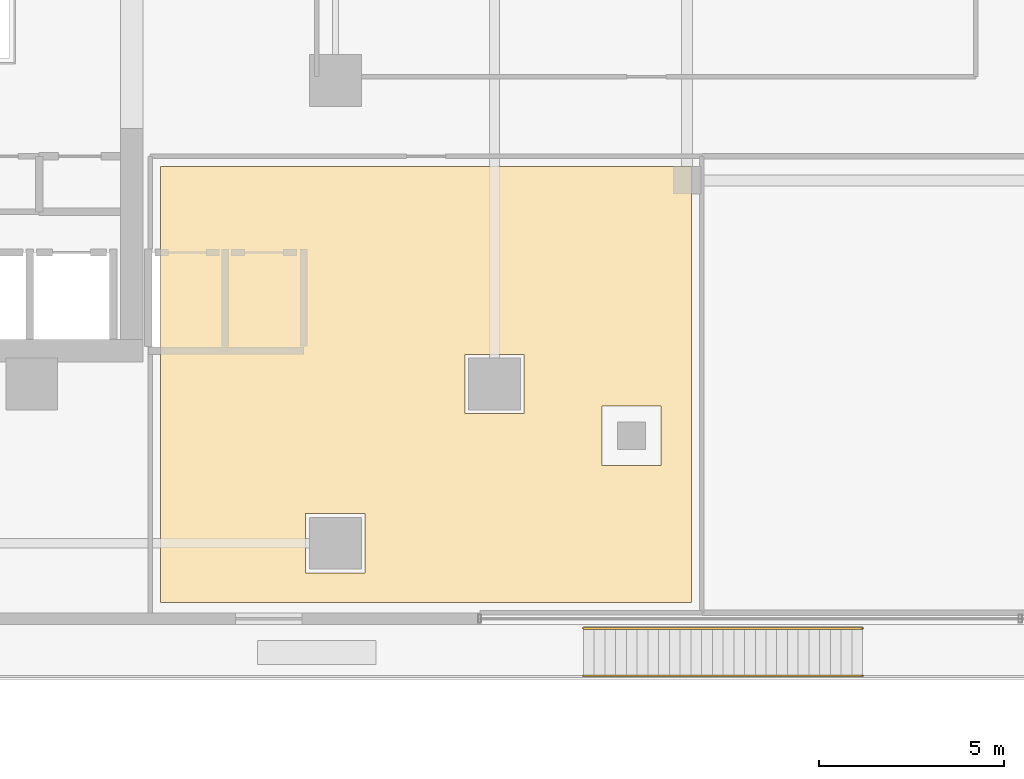
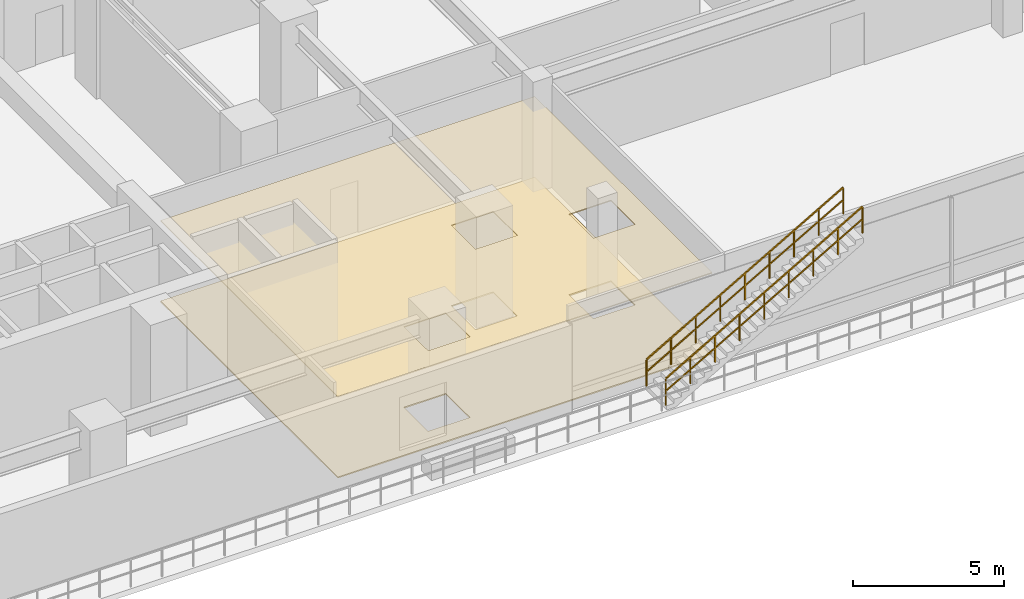
# One storey, part 22 of 25: 2 coverings, 2 railings.
"""IFC4 building model written with IfcOpenShell, lengths in metres."""

from ifc_helpers import new_model, si_unit, direction, frame, origin, origin_2d, place, context, subcontext, project, spatial, polyline, rectangle, outline, extrude, material, layer, layer_set, type_object, element, save


model = new_model("IFC4")

# Units and contexts
model_context = context("Model", 3, precision=1e-05, world=origin(), true_north=direction((0.0, 1.0)))
body_context = subcontext(model_context, "Body", "Model", "MODEL_VIEW")
ifc_project = project(units=[si_unit("LENGTHUNIT", "METRE"), si_unit("AREAUNIT", "SQUARE_METRE"), si_unit("VOLUMEUNIT", "CUBIC_METRE"), si_unit("PLANEANGLEUNIT", "RADIAN"), si_unit("MASSUNIT", "GRAM", prefix="KILO")], contexts=[model_context])

# Site, building, storey
site_placement = place(None, origin())
site = spatial("IfcSite", under=ifc_project, at=site_placement, CompositionType="ELEMENT")
building_placement = place(site_placement, origin())
building = spatial("IfcBuilding", under=site, at=building_placement, Name="Thornwick Lancets Civic Towers", CompositionType="ELEMENT")
storey_placement = place(building_placement, frame((0.0, 0.0, 9.60009765625)))
storey = spatial("IfcBuildingStorey", under=building, at=storey_placement, Name="L02", CompositionType="ELEMENT", Elevation=9.60009765625)

# Coverings
ifc_material_1 = material(Name="Perforated mineral acoustic ceiling tile")
ifc_layer_1 = layer(ifc_material_1, 0.0400390625, Name="Perforated mineral acoustic ceiling tile")
ifc_layer_set_1 = layer_set([ifc_layer_1], Name="Perforated mineral acoustic ceiling tile")
covering_type_1 = type_object("IfcCoveringType", Name="COV_CEIL_ACOUSTIC", PredefinedType="CEILING", material=ifc_layer_set_1)
covering_1_placement = place(storey_placement, frame((0.0, 0.0, 3.27392578125)))
element("IfcCovering", 1, at=covering_1_placement, inside=storey, type_object=covering_type_1, Name="L02 Terrace Reception Foyer Ceiling", PredefinedType="CEILING", context=body_context, shape_type="SweptSolid", body=[
    extrude(outline(polyline([(48.1201171875, 8.10009765625), (33.780029296875, 8.10009765625), (33.780029296875, 19.8701171875), (48.1201171875, 19.8701171875), (48.1201171875, 8.10009765625)]), holes=[polyline([(37.699951171875, 8.89990234375), (39.300048828125, 8.89990234375), (39.300048828125, 10.5), (37.699951171875, 10.5), (37.699951171875, 8.89990234375)]), polyline([(42.0, 13.199951171875), (43.60009765625, 13.199951171875), (43.60009765625, 14.800048828125), (42.0, 14.800048828125), (42.0, 13.199951171875)]), polyline([(45.699951171875, 11.800048828125), (47.300048828125, 11.800048828125), (47.300048828125, 13.39990234375), (45.699951171875, 13.39990234375), (45.699951171875, 11.800048828125)])]), origin(), (0.0, 0.0, 1.0), 0.0400390625),
])
ifc_material_2 = material(Name="Calcium-sulfate raised access floor panel")
ifc_layer_2 = layer(ifc_material_2, 0.050048828125, Name="Calcium-sulfate raised access floor panel")
ifc_layer_set_2 = layer_set([ifc_layer_2], Name="Calcium-sulfate raised access floor panel")
covering_type_2 = type_object("IfcCoveringType", Name="COV_FLOOR_RAISED", PredefinedType="FLOORING", material=ifc_layer_set_2)
covering_2_placement = place(storey_placement, origin())
element("IfcCovering", 2, at=covering_2_placement, inside=storey, type_object=covering_type_2, Name="L02 Terrace Reception Foyer Raised Access Flooring", PredefinedType="FLOORING", context=body_context, shape_type="SweptSolid", body=[
    extrude(outline(polyline([(48.1201171875, 8.10009765625), (33.780029296875, 8.10009765625), (33.780029296875, 19.8701171875), (48.1201171875, 19.8701171875), (48.1201171875, 8.10009765625)]), holes=[polyline([(37.699951171875, 8.89990234375), (39.300048828125, 8.89990234375), (39.300048828125, 10.5), (37.699951171875, 10.5), (37.699951171875, 8.89990234375)]), polyline([(42.0, 13.199951171875), (43.60009765625, 13.199951171875), (43.60009765625, 14.800048828125), (42.0, 14.800048828125), (42.0, 13.199951171875)]), polyline([(45.699951171875, 11.800048828125), (47.300048828125, 11.800048828125), (47.300048828125, 13.39990234375), (45.699951171875, 13.39990234375), (45.699951171875, 11.800048828125)])]), origin(), (0.0, 0.0, 1.0), 0.0498046875),
])

# Railings
ifc_material_3 = material(Name="Steel S355JR", Category="steel")
railing_type = type_object("IfcRailingType", Name="RAIL_STAIR_GUARD", PredefinedType="GUARDRAIL", material=ifc_material_3)
railing_1_placement = place(storey_placement, frame((45.199951171875, 6.1201171875, 0.16650390625)))
element("IfcRailing", 3, at=railing_1_placement, inside=storey, type_object=railing_type, Name="L02 Garden Stair Guard S", PredefinedType="GUARDRAIL", context=body_context, shape_type="SweptSolid", body=[
    extrude(rectangle(XDim=0.048095703125, YDim=0.048095703125, at=origin_2d()), frame((0.0, 0.0, 1.076171875), z_axis=(0.867006973741, 0.0, 0.498296003882), x_axis=(0.0, 1.0, 0.0)), (0.0, 0.0, 1.0), 8.696533203125),
    extrude(rectangle(XDim=0.0419921875, YDim=0.0419921875, at=origin_2d()), frame((0.032470703125, 0.0, 0.5908203125), z_axis=(0.867006973741, 0.0, 0.498296003882), x_axis=(0.0, 1.0, 0.0)), (0.0, 0.0, 1.0), 1.01220703125),
    extrude(rectangle(XDim=0.0419921875, YDim=0.0419921875, at=origin_2d()), frame((0.97509765625, 0.0, 1.13232421875), z_axis=(0.867006973741, 0.0, 0.498296003882), x_axis=(0.0, 1.0, 0.0)), (0.0, 0.0, 1.0), 1.01220703125),
    extrude(rectangle(XDim=0.0419921875, YDim=0.0419921875, at=origin_2d()), frame((1.91748046875, 0.0, 1.674072265625), z_axis=(0.867006973741, 0.0, 0.498296003882), x_axis=(0.0, 1.0, 0.0)), (0.0, 0.0, 1.0), 1.01220703125),
    extrude(rectangle(XDim=0.0419921875, YDim=0.0419921875, at=origin_2d()), frame((2.860107421875, 0.0, 2.2158203125), z_axis=(0.867006973741, 0.0, 0.498296003882), x_axis=(0.0, 1.0, 0.0)), (0.0, 0.0, 1.0), 1.01220703125),
    extrude(rectangle(XDim=0.0419921875, YDim=0.0419921875, at=origin_2d()), frame((3.802490234375, 0.0, 2.757568359375), z_axis=(0.867006973741, 0.0, 0.498296003882), x_axis=(0.0, 1.0, 0.0)), (0.0, 0.0, 1.0), 1.01220703125),
    extrude(rectangle(XDim=0.0419921875, YDim=0.0419921875, at=origin_2d()), frame((4.7451171875, 0.0, 3.299072265625), z_axis=(0.867006973741, 0.0, 0.498296003882), x_axis=(0.0, 1.0, 0.0)), (0.0, 0.0, 1.0), 1.01220703125),
    extrude(rectangle(XDim=0.0419921875, YDim=0.0419921875, at=origin_2d()), frame((5.6875, 0.0, 3.8408203125), z_axis=(0.867006973741, 0.0, 0.498296003882), x_axis=(0.0, 1.0, 0.0)), (0.0, 0.0, 1.0), 1.01220703125),
    extrude(rectangle(XDim=0.0419921875, YDim=0.0419921875, at=origin_2d()), frame((6.630126953125, 0.0, 4.382568359375), z_axis=(0.867006973741, 0.0, 0.498296003882), x_axis=(0.0, 1.0, 0.0)), (0.0, 0.0, 1.0), 1.01220703125),
    extrude(rectangle(XDim=0.0419921875, YDim=0.0419921875, at=origin_2d()), origin(), (0.0, 0.0, 1.0), 1.0458984375),
    extrude(rectangle(XDim=0.0419921875, YDim=0.0419921875, at=origin_2d()), frame((0.9423828125, 0.0, 0.541748046875)), (0.0, 0.0, 1.0), 1.0458984375),
    extrude(rectangle(XDim=0.0419921875, YDim=0.0419921875, at=origin_2d()), frame((1.885009765625, 0.0, 1.08349609375)), (0.0, 0.0, 1.0), 1.0458984375),
    extrude(rectangle(XDim=0.0419921875, YDim=0.0419921875, at=origin_2d()), frame((2.82763671875, 0.0, 1.625)), (0.0, 0.0, 1.0), 1.0458984375),
    extrude(rectangle(XDim=0.0419921875, YDim=0.0419921875, at=origin_2d()), frame((3.77001953125, 0.0, 2.166748046875)), (0.0, 0.0, 1.0), 1.0458984375),
    extrude(rectangle(XDim=0.0419921875, YDim=0.0419921875, at=origin_2d()), frame((4.71240234375, 0.0, 2.70849609375)), (0.0, 0.0, 1.0), 1.0458984375),
    extrude(rectangle(XDim=0.0419921875, YDim=0.0419921875, at=origin_2d()), frame((5.655029296875, 0.0, 3.25)), (0.0, 0.0, 1.0), 1.0458984375),
    extrude(rectangle(XDim=0.0419921875, YDim=0.0419921875, at=origin_2d()), frame((6.59765625, 0.0, 3.791748046875)), (0.0, 0.0, 1.0), 1.0458984375),
    extrude(rectangle(XDim=0.0419921875, YDim=0.0419921875, at=origin_2d()), frame((7.5400390625, 0.0, 4.33349609375)), (0.0, 0.0, 1.0), 1.0458984375),
])
railing_2_placement = place(storey_placement, frame((45.199951171875, 7.39990234375, 0.16650390625)))
element("IfcRailing", 4, at=railing_2_placement, inside=storey, type_object=railing_type, Name="L02 Garden Stair Guard N", PredefinedType="GUARDRAIL", context=body_context, shape_type="SweptSolid", body=[
    extrude(rectangle(XDim=0.048095703125, YDim=0.048095703125, at=origin_2d()), frame((0.0, 0.0, 1.076171875), z_axis=(0.867006973741, 0.0, 0.498296003882), x_axis=(0.0, 1.0, 0.0)), (0.0, 0.0, 1.0), 8.696533203125),
    extrude(rectangle(XDim=0.0419921875, YDim=0.0419921875, at=origin_2d()), frame((0.032470703125, 0.0, 0.5908203125), z_axis=(0.867006973741, 0.0, 0.498296003882), x_axis=(0.0, 1.0, 0.0)), (0.0, 0.0, 1.0), 1.01220703125),
    extrude(rectangle(XDim=0.0419921875, YDim=0.0419921875, at=origin_2d()), frame((0.97509765625, 0.0, 1.13232421875), z_axis=(0.867006973741, 0.0, 0.498296003882), x_axis=(0.0, 1.0, 0.0)), (0.0, 0.0, 1.0), 1.01220703125),
    extrude(rectangle(XDim=0.0419921875, YDim=0.0419921875, at=origin_2d()), frame((1.91748046875, 0.0, 1.674072265625), z_axis=(0.867006973741, 0.0, 0.498296003882), x_axis=(0.0, 1.0, 0.0)), (0.0, 0.0, 1.0), 1.01220703125),
    extrude(rectangle(XDim=0.0419921875, YDim=0.0419921875, at=origin_2d()), frame((2.860107421875, 0.0, 2.2158203125), z_axis=(0.867006973741, 0.0, 0.498296003882), x_axis=(0.0, 1.0, 0.0)), (0.0, 0.0, 1.0), 1.01220703125),
    extrude(rectangle(XDim=0.0419921875, YDim=0.0419921875, at=origin_2d()), frame((3.802490234375, 0.0, 2.757568359375), z_axis=(0.867006973741, 0.0, 0.498296003882), x_axis=(0.0, 1.0, 0.0)), (0.0, 0.0, 1.0), 1.01220703125),
    extrude(rectangle(XDim=0.0419921875, YDim=0.0419921875, at=origin_2d()), frame((4.7451171875, 0.0, 3.299072265625), z_axis=(0.867006973741, 0.0, 0.498296003882), x_axis=(0.0, 1.0, 0.0)), (0.0, 0.0, 1.0), 1.01220703125),
    extrude(rectangle(XDim=0.0419921875, YDim=0.0419921875, at=origin_2d()), frame((5.6875, 0.0, 3.8408203125), z_axis=(0.867006973741, 0.0, 0.498296003882), x_axis=(0.0, 1.0, 0.0)), (0.0, 0.0, 1.0), 1.01220703125),
    extrude(rectangle(XDim=0.0419921875, YDim=0.0419921875, at=origin_2d()), frame((6.630126953125, 0.0, 4.382568359375), z_axis=(0.867006973741, 0.0, 0.498296003882), x_axis=(0.0, 1.0, 0.0)), (0.0, 0.0, 1.0), 1.01220703125),
    extrude(rectangle(XDim=0.0419921875, YDim=0.0419921875, at=origin_2d()), origin(), (0.0, 0.0, 1.0), 1.0458984375),
    extrude(rectangle(XDim=0.0419921875, YDim=0.0419921875, at=origin_2d()), frame((0.9423828125, 0.0, 0.541748046875)), (0.0, 0.0, 1.0), 1.0458984375),
    extrude(rectangle(XDim=0.0419921875, YDim=0.0419921875, at=origin_2d()), frame((1.885009765625, 0.0, 1.08349609375)), (0.0, 0.0, 1.0), 1.0458984375),
    extrude(rectangle(XDim=0.0419921875, YDim=0.0419921875, at=origin_2d()), frame((2.82763671875, 0.0, 1.625)), (0.0, 0.0, 1.0), 1.0458984375),
    extrude(rectangle(XDim=0.0419921875, YDim=0.0419921875, at=origin_2d()), frame((3.77001953125, 0.0, 2.166748046875)), (0.0, 0.0, 1.0), 1.0458984375),
    extrude(rectangle(XDim=0.0419921875, YDim=0.0419921875, at=origin_2d()), frame((4.71240234375, 0.0, 2.70849609375)), (0.0, 0.0, 1.0), 1.0458984375),
    extrude(rectangle(XDim=0.0419921875, YDim=0.0419921875, at=origin_2d()), frame((5.655029296875, 0.0, 3.25)), (0.0, 0.0, 1.0), 1.0458984375),
    extrude(rectangle(XDim=0.0419921875, YDim=0.0419921875, at=origin_2d()), frame((6.59765625, 0.0, 3.791748046875)), (0.0, 0.0, 1.0), 1.0458984375),
    extrude(rectangle(XDim=0.0419921875, YDim=0.0419921875, at=origin_2d()), frame((7.5400390625, 0.0, 4.33349609375)), (0.0, 0.0, 1.0), 1.0458984375),
])

save(model, "model.ifc")
